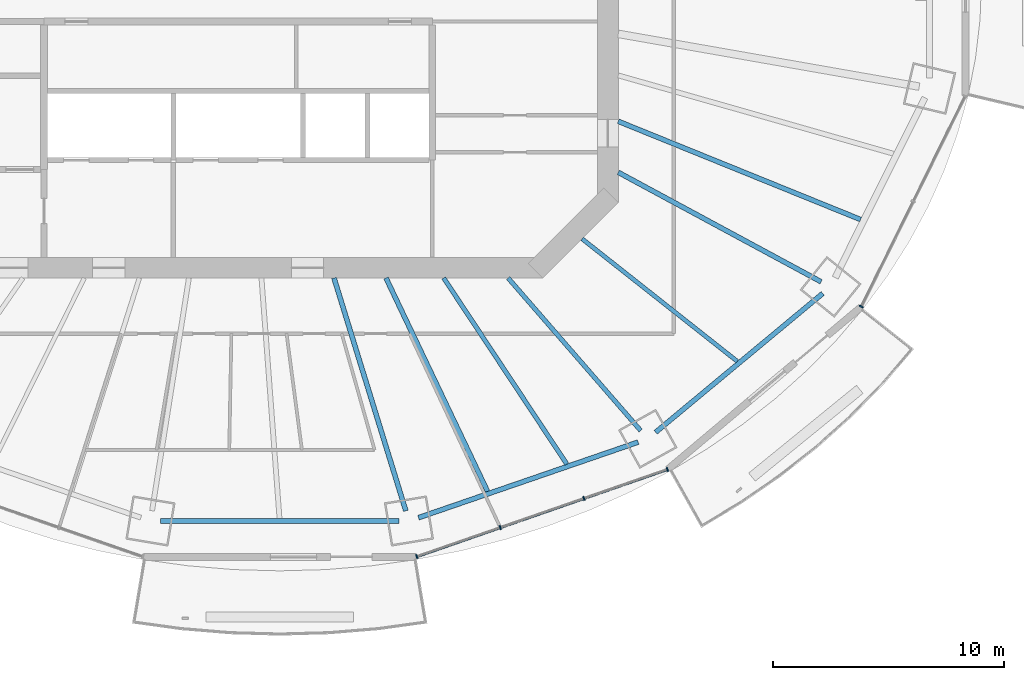
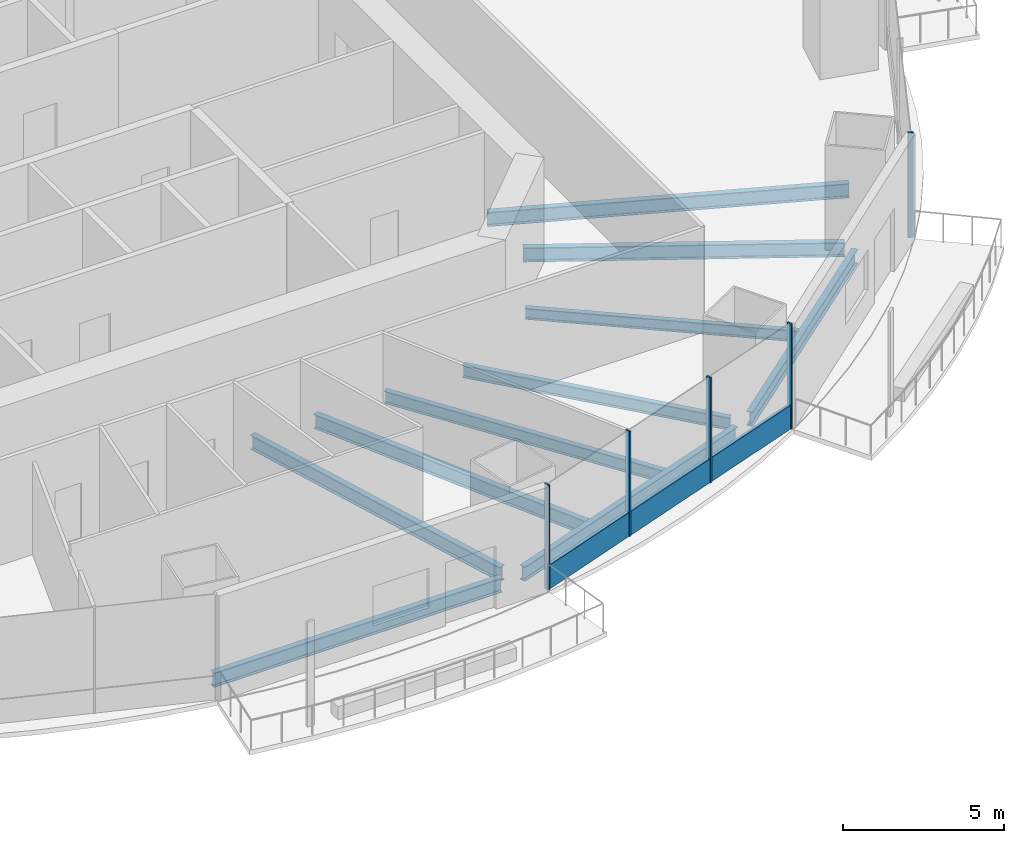
# One storey, part 4 of 19: 10 beams, 6 members, 2 elements without a shape of their own.
"""IFC4 building model written with IfcOpenShell, lengths in metres."""

from ifc_helpers import new_model, si_unit, direction, frame, origin, origin_2d, place, context, subcontext, project, spatial, rectangle, i_section, extrude, material, material_profile, profile_set, type_object, element, aggregate, save


model = new_model("IFC4")

# Units and contexts
model_context = context("Model", 3, precision=1e-05, world=origin(), true_north=direction((0.0, 1.0)))
body_context = subcontext(model_context, "Body", "Model", "MODEL_VIEW")
ifc_project = project(units=[si_unit("LENGTHUNIT", "METRE"), si_unit("AREAUNIT", "SQUARE_METRE"), si_unit("VOLUMEUNIT", "CUBIC_METRE"), si_unit("PLANEANGLEUNIT", "RADIAN"), si_unit("MASSUNIT", "GRAM", prefix="KILO")], contexts=[model_context])

# Site, building, storey
site_placement = place(None, origin())
site = spatial("IfcSite", under=ifc_project, at=site_placement, CompositionType="ELEMENT")
building_placement = place(site_placement, origin())
building = spatial("IfcBuilding", under=site, at=building_placement, Name="Marenthal Gate Tower", CompositionType="ELEMENT")
storey_placement = place(building_placement, frame((0.0, 0.0, 244.050048828125)))
storey = spatial("IfcBuildingStorey", under=building, at=storey_placement, Name="L54", CompositionType="ELEMENT", Elevation=244.050048828125)

# Curtain wall, members
ifc_material_1 = material(Name="Aluminium and glass", Category="aluminium")
curtain_wall_type = type_object("IfcCurtainWallType", Name="Curtain wall typical mid", PredefinedType="NOTDEFINED", material=ifc_material_1)
curtain_wall_1_placement = place(storey_placement, origin())
curtain_wall_1 = element("IfcCurtainWall", 1, at=curtain_wall_1_placement, inside=storey, type_object=curtain_wall_type, Name="Curtain wall L54 bay 13", PredefinedType="NOTDEFINED")
ifc_material_2 = material(Name="Aluminium", Category="aluminium")
ifc_material_profile_1 = material_profile(ifc_material_2, rectangle(XDim=0.179931640625, YDim=0.06005859375, at=origin_2d()), Name="60x180 aluminium mullion")
ifc_profile_set_1 = profile_set([ifc_material_profile_1], Name="Aluminium")
member_type_1 = type_object("IfcMemberType", Name="Mullion 60x180 typical mid", PredefinedType="MULLION", material=ifc_profile_set_1)
member_1_placement = place(storey_placement, frame((7.728759765625, -25.501220703125, 0.0), z_axis=(0.0, 0.0, 1.0), x_axis=(-0.328540448732, 0.944489901241, 0.0)))
member_1 = element("IfcMember", 2, at=member_1_placement, type_object=member_type_1, Name="Mullion L54 bay 13.1", PredefinedType="MULLION", context=body_context, shape_type="SweptSolid", body=[
    extrude(rectangle(XDim=0.179931640625, YDim=0.06005859375, at=origin_2d()), origin(), (0.0, 0.0, 1.0), 3.969970703125),
])
member_2_placement = place(storey_placement, frame((11.34423828125, -24.24365234375, 0.0), z_axis=(0.0, 0.0, 1.0), x_axis=(-0.328540448732, 0.944489901241, 0.0)))
member_2 = element("IfcMember", 3, at=member_2_placement, type_object=member_type_1, Name="Mullion L54 bay 13.2", PredefinedType="MULLION", context=body_context, shape_type="SweptSolid", body=[
    extrude(rectangle(XDim=0.179931640625, YDim=0.06005859375, at=origin_2d()), origin(), (0.0, 0.0, 1.0), 3.969970703125),
])
member_3_placement = place(storey_placement, frame((14.95947265625, -22.98583984375, 0.0), z_axis=(0.0, 0.0, 1.0), x_axis=(-0.328540448732, 0.944489901241, 0.0)))
member_3 = element("IfcMember", 4, at=member_3_placement, type_object=member_type_1, Name="Mullion L54 bay 13.3", PredefinedType="MULLION", context=body_context, shape_type="SweptSolid", body=[
    extrude(rectangle(XDim=0.179931640625, YDim=0.06005859375, at=origin_2d()), origin(), (0.0, 0.0, 1.0), 3.969970703125),
])
member_4_placement = place(storey_placement, frame((18.574951171875, -21.728271484375, 0.0), z_axis=(0.0, 0.0, 1.0), x_axis=(-0.328540448732, 0.944489901241, 0.0)))
member_4 = element("IfcMember", 5, at=member_4_placement, type_object=member_type_1, Name="Mullion L54 bay 13.4", PredefinedType="MULLION", context=body_context, shape_type="SweptSolid", body=[
    extrude(rectangle(XDim=0.179931640625, YDim=0.06005859375, at=origin_2d()), origin(), (0.0, 0.0, 1.0), 3.969970703125),
])

# Curtain wall, member
curtain_wall_2_placement = place(storey_placement, origin())
curtain_wall_2 = element("IfcCurtainWall", 6, at=curtain_wall_2_placement, inside=storey, type_object=curtain_wall_type, Name="Curtain wall L54 bay 15", PredefinedType="NOTDEFINED")
member_5_placement = place(storey_placement, frame((26.961181640625, -14.68408203125, 0.0), z_axis=(0.0, 0.0, 1.0), x_axis=(-0.896835471663, 0.442364258013, 0.0)))
member_5 = element("IfcMember", 7, at=member_5_placement, type_object=member_type_1, Name="Mullion L54 bay 15.1", PredefinedType="MULLION", context=body_context, shape_type="SweptSolid", body=[
    extrude(rectangle(XDim=0.179931640625, YDim=0.06005859375, at=origin_2d()), origin(), (0.0, 0.0, 1.0), 3.969970703125),
])
aggregate(curtain_wall_2, [member_5])

# Member
ifc_material_3 = material(Name="Aluminium", Category="aluminium")
ifc_material_profile_2 = material_profile(ifc_material_3, rectangle(XDim=0.1201171875, YDim=0.89990234375, at=origin_2d()), Name="120x900 aluminium transom")
ifc_profile_set_2 = profile_set([ifc_material_profile_2], Name="Aluminium")
member_type_2 = type_object("IfcMemberType", Name="Transom 120x900 typical mid", PredefinedType="USERDEFINED", material=ifc_profile_set_2)
member_6_placement = place(storey_placement, frame((7.757080078125, -25.4912109375, 0.449951171875), z_axis=(0.944495643428, 0.328523940598, 0.0), x_axis=(-0.328523940598, 0.944495643428, 0.0)))
member_6 = element("IfcMember", 8, at=member_6_placement, type_object=member_type_2, Name="Transom L54 bay 13", ObjectType="TRANSOM", PredefinedType="USERDEFINED", context=body_context, shape_type="SweptSolid", body=[
    extrude(rectangle(XDim=0.1201171875, YDim=0.89990234375, at=origin_2d()), origin(), (0.0, 0.0, 1.0), 11.423583984375),
])

aggregate(curtain_wall_1, [member_1, member_2, member_3, member_4, member_6])

# Beams
ifc_material_4 = material(Name="Steel S355", Category="steel")
ifc_material_profile_3 = material_profile(ifc_material_4, i_section(OverallWidth=0.180908203125, OverallDepth=0.4169921875, WebThickness=0.010986328125, FlangeThickness=0.018310546875, FilletRadius=0.01025390625, at=origin_2d()), Name="W410X85")
ifc_profile_set_3 = profile_set([ifc_material_profile_3], Name="Steel S355")
beam_type_1 = type_object("IfcBeamType", Name="W410X85 beam", PredefinedType="BEAM", material=ifc_profile_set_3)
beam_1_placement = place(storey_placement, frame((21.5947265625, -17.0517578125, -0.388427734375), z_axis=(-0.784827949128, 0.619713716379, 0.0), x_axis=(-0.619713716379, -0.784827949128, 0.0)))
element("IfcBeam", 9, at=beam_1_placement, inside=storey, type_object=beam_type_1, Name="BM-L54-37", PredefinedType="BEAM", context=body_context, shape_type="SweptSolid", body=[
    extrude(i_section(OverallWidth=0.180908203125, OverallDepth=0.4169921875, WebThickness=0.010986328125, FlangeThickness=0.018310546875, FilletRadius=0.01025390625, at=origin_2d()), origin(), (0.0, 0.0, 1.0), 8.55078125),
])
ifc_material_5 = material(Name="Steel S355", Category="steel")
ifc_material_profile_4 = material_profile(ifc_material_5, i_section(OverallWidth=0.193115234375, OverallDepth=0.467041015625, WebThickness=0.011474609375, FlangeThickness=0.01904296875, FilletRadius=0.010009765625, at=origin_2d()), Name="W460X97")
ifc_profile_set_4 = profile_set([ifc_material_profile_4], Name="Steel S355")
beam_type_2 = type_object("IfcBeamType", Name="W460X97 beam", PredefinedType="BEAM", material=ifc_profile_set_4)
beam_2_placement = place(storey_placement, frame((17.41650390625, -20.04931640625, -0.41357421875), z_axis=(-0.655793490166, 0.754940327613, 0.0), x_axis=(-0.754940327613, -0.655793490166, 0.0)))
element("IfcBeam", 10, at=beam_2_placement, inside=storey, type_object=beam_type_2, Name="BM-L54-14", PredefinedType="BEAM", context=body_context, shape_type="SweptSolid", body=[
    extrude(i_section(OverallWidth=0.193115234375, OverallDepth=0.467041015625, WebThickness=0.011474609375, FlangeThickness=0.01904296875, FilletRadius=0.010009765625, at=origin_2d()), origin(), (0.0, 0.0, 1.0), 8.741455078125),
])
beam_3_placement = place(storey_placement, frame((14.220703125, -21.4990234375, -0.41357421875), z_axis=(-0.551695872775, 0.834045360855, 0.0), x_axis=(-0.834045360855, -0.551695872775, 0.0)))
element("IfcBeam", 11, at=beam_3_placement, inside=storey, type_object=beam_type_2, Name="BM-L54-36", PredefinedType="BEAM", context=body_context, shape_type="SweptSolid", body=[
    extrude(i_section(OverallWidth=0.193115234375, OverallDepth=0.467041015625, WebThickness=0.011474609375, FlangeThickness=0.01904296875, FilletRadius=0.010009765625, at=origin_2d()), origin(), (0.0, 0.0, 1.0), 9.650634765625),
])
ifc_material_6 = material(Name="Steel S355", Category="steel")
ifc_material_profile_5 = material_profile(ifc_material_6, i_section(OverallWidth=0.2099609375, OverallDepth=0.535888671875, WebThickness=0.010986328125, FlangeThickness=0.017333984375, FilletRadius=0.0126953125, at=origin_2d()), Name="W530X101")
ifc_profile_set_5 = profile_set([ifc_material_profile_5], Name="Steel S355")
beam_type_3 = type_object("IfcBeamType", Name="W530X101 beam", PredefinedType="BEAM", material=ifc_profile_set_5)
beam_4_placement = place(storey_placement, frame((25.22412109375, -13.61181640625, -0.447998046875), z_axis=(-0.880039066963, 0.474901295659, 0.0), x_axis=(-0.474901295659, -0.880039066963, 0.0)))
element("IfcBeam", 12, at=beam_4_placement, inside=storey, type_object=beam_type_3, Name="BM-L54-15", PredefinedType="BEAM", context=body_context, shape_type="SweptSolid", body=[
    extrude(i_section(OverallWidth=0.2099609375, OverallDepth=0.535888671875, WebThickness=0.010986328125, FlangeThickness=0.017333984375, FilletRadius=0.0126953125, at=origin_2d()), origin(), (0.0, 0.0, 1.0), 9.97021484375),
])
beam_5_placement = place(storey_placement, frame((10.790771484375, -22.679443359375, -0.447998046875), z_axis=(-0.429643345943, 0.902998668485, 0.0), x_axis=(-0.902998668485, -0.429643345943, 0.0)))
element("IfcBeam", 13, at=beam_5_placement, inside=storey, type_object=beam_type_3, Name="BM-L54-35", PredefinedType="BEAM", context=body_context, shape_type="SweptSolid", body=[
    extrude(i_section(OverallWidth=0.2099609375, OverallDepth=0.535888671875, WebThickness=0.010986328125, FlangeThickness=0.017333984375, FilletRadius=0.0126953125, at=origin_2d()), origin(), (0.0, 0.0, 1.0), 10.220947265625),
])
beam_6_placement = place(storey_placement, frame((26.93115234375, -10.91845703125, -0.447998046875), z_axis=(-0.926735205443, 0.375715130109, 0.0), x_axis=(-0.375715130109, -0.926735205443, 0.0)))
element("IfcBeam", 14, at=beam_6_placement, inside=storey, type_object=beam_type_3, Name="BM-L54-38", PredefinedType="BEAM", context=body_context, shape_type="SweptSolid", body=[
    extrude(i_section(OverallWidth=0.2099609375, OverallDepth=0.535888671875, WebThickness=0.010986328125, FlangeThickness=0.017333984375, FilletRadius=0.0126953125, at=origin_2d()), origin(), (0.0, 0.0, 1.0), 11.309814453125),
])
ifc_material_7 = material(Name="Steel S355", Category="steel")
ifc_material_profile_6 = material_profile(ifc_material_7, i_section(OverallWidth=0.2119140625, OverallDepth=0.5439453125, WebThickness=0.01318359375, FlangeThickness=0.021240234375, FilletRadius=0.0126953125, at=origin_2d()), Name="W530X123")
ifc_profile_set_6 = profile_set([ifc_material_profile_6], Name="Steel S355")
beam_type_4 = type_object("IfcBeamType", Name="W530X123 beam", PredefinedType="BEAM", material=ifc_profile_set_6)
beam_7_placement = place(storey_placement, frame((7.257080078125, -23.52294921875, -0.4521484375), z_axis=(-0.294803475144, 0.955557905646, 0.0), x_axis=(-0.955557905646, -0.294803475144, 0.0)))
element("IfcBeam", 15, at=beam_7_placement, inside=storey, type_object=beam_type_4, Name="BM-L54-13", PredefinedType="BEAM", context=body_context, shape_type="SweptSolid", body=[
    extrude(i_section(OverallWidth=0.2119140625, OverallDepth=0.5439453125, WebThickness=0.01318359375, FlangeThickness=0.021240234375, FilletRadius=0.0126953125, at=origin_2d()), origin(), (0.0, 0.0, 1.0), 10.54150390625),
])
beam_8_placement = place(storey_placement, frame((-3.354736328125, -23.961181640625, -0.4521484375), z_axis=(1.0, 0.0, 0.0), x_axis=(0.0, 1.0, 0.0)))
element("IfcBeam", 16, at=beam_8_placement, inside=storey, type_object=beam_type_4, Name="BM-L54-52", PredefinedType="BEAM", context=body_context, shape_type="SweptSolid", body=[
    extrude(i_section(OverallWidth=0.2119140625, OverallDepth=0.5439453125, WebThickness=0.01318359375, FlangeThickness=0.021240234375, FilletRadius=0.0126953125, at=origin_2d()), origin(), (0.0, 0.0, 1.0), 10.3095703125),
])
beam_9_placement = place(storey_placement, frame((7.806640625, -23.818603515625, -0.4521484375), z_axis=(0.945563077228, 0.325438883638, 0.0), x_axis=(-0.325438883638, 0.945563077228, 0.0)))
element("IfcBeam", 17, at=beam_9_placement, inside=storey, type_object=beam_type_4, Name="BM-L54-53", PredefinedType="BEAM", context=body_context, shape_type="SweptSolid", body=[
    extrude(i_section(OverallWidth=0.2119140625, OverallDepth=0.5439453125, WebThickness=0.01318359375, FlangeThickness=0.021240234375, FilletRadius=0.0126953125, at=origin_2d()), origin(), (0.0, 0.0, 1.0), 10.05029296875),
])
beam_10_placement = place(storey_placement, frame((18.064697265625, -20.122802734375, -0.4521484375), z_axis=(0.769123379534, 0.639100326282, 0.0), x_axis=(-0.639100326282, 0.769123379534, 0.0)))
element("IfcBeam", 18, at=beam_10_placement, inside=storey, type_object=beam_type_4, Name="BM-L54-54", PredefinedType="BEAM", context=body_context, shape_type="SweptSolid", body=[
    extrude(i_section(OverallWidth=0.2119140625, OverallDepth=0.5439453125, WebThickness=0.01318359375, FlangeThickness=0.021240234375, FilletRadius=0.0126953125, at=origin_2d()), origin(), (0.0, 0.0, 1.0), 9.397705078125),
])

save(model, "model.ifc")
